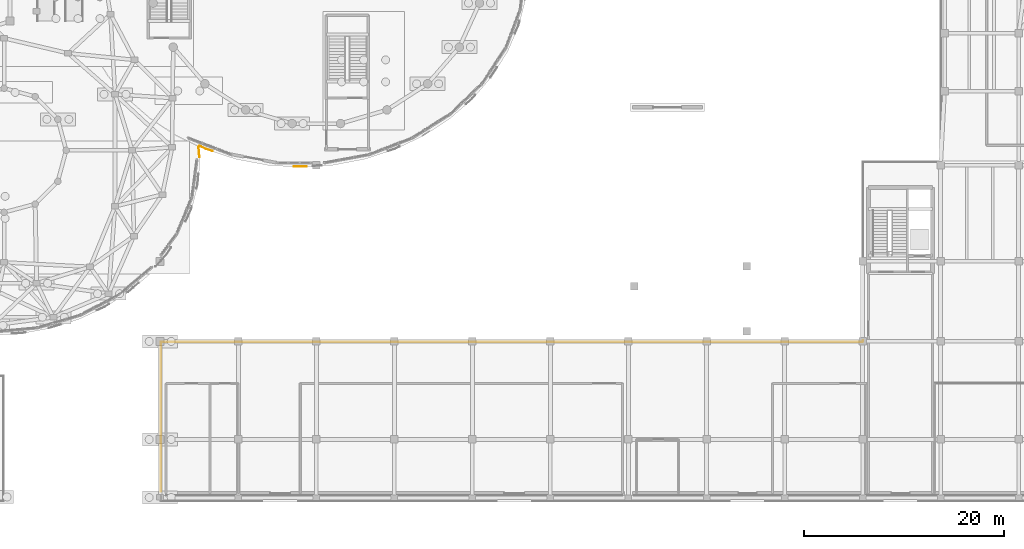
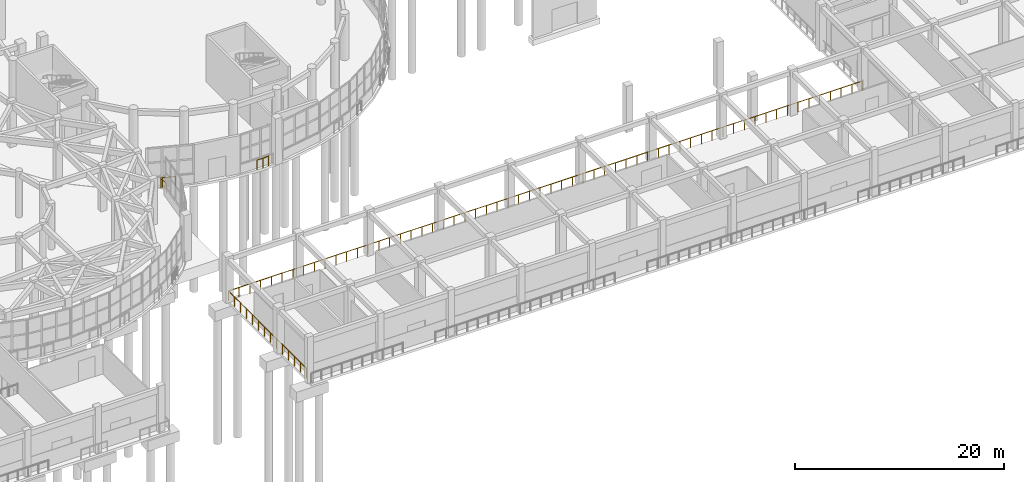
# One storey, part 85 of 96: 4 railings.
"""IFC4 building model written with IfcOpenShell, lengths in metres."""

from ifc_helpers import new_model, si_unit, direction, frame, origin, origin_2d, place, context, subcontext, project, spatial, circle, extrude, material, type_object, element, save


model = new_model("IFC4")

# Units and contexts
model_context = context("Model", 3, precision=1e-05, world=origin(), true_north=direction((0.0, 1.0)))
body_context = subcontext(model_context, "Body", "Model", "MODEL_VIEW")
ifc_project = project(units=[si_unit("LENGTHUNIT", "METRE"), si_unit("AREAUNIT", "SQUARE_METRE"), si_unit("VOLUMEUNIT", "CUBIC_METRE"), si_unit("PLANEANGLEUNIT", "RADIAN"), si_unit("MASSUNIT", "GRAM", prefix="KILO")], contexts=[model_context])

# Site, building, storey
site_placement = place(None, origin())
site = spatial("IfcSite", under=ifc_project, at=site_placement, CompositionType="ELEMENT")
building_placement = place(site_placement, origin())
building = spatial("IfcBuilding", under=site, at=building_placement, Name="Pelvatis Terrace Science Centre", CompositionType="ELEMENT")
storey_placement = place(building_placement, origin())
storey = spatial("IfcBuildingStorey", under=building, at=storey_placement, Name="L00", CompositionType="ELEMENT", Elevation=0.0)

# Railings
ifc_material = material(Name="Bronze-anodised aluminium and laminated safety glass balustrade", Category="aluminium")
railing_type = type_object("IfcRailingType", Name="RLG-BAL-1150", PredefinedType="BALUSTRADE", material=ifc_material)
railing_1_placement = place(storey_placement, frame((62.4599609375, 1.0146484375, 0.0)))
element("IfcRailing", 1, at=railing_1_placement, inside=storey, type_object=railing_type, Name="Perimeter edge balustrade RLG-EDG-L00-002", PredefinedType="BALUSTRADE", context=body_context, shape_type="SweptSolid", body=[
    extrude(circle(Radius=0.02392578125, at=origin_2d()), frame((0.0, 0.0, 1.1259765625), z_axis=(0.0, 1.0, 0.0), x_axis=(-1.0, 0.0, 0.0)), (0.0, 0.0, 1.0), 14.92529296875),
    extrude(circle(Radius=0.02392578125, at=origin_2d()), frame((0.0, 14.92529296875, 1.1259765625), z_axis=(1.0, 0.0, 0.0), x_axis=(0.0, 1.0, 0.0)), (0.0, 0.0, 1.0), 70.10009765625),
    extrude(circle(Radius=0.02392578125, at=origin_2d()), frame((70.10009765625, 14.92529296875, 1.1259765625), z_axis=(0.889040222975, 0.457829096861, 0.0), x_axis=(-0.457829096861, 0.889040222975, 0.0)), (0.0, 0.0, 1.0), 0.091796875),
    extrude(circle(Radius=0.02392578125, at=origin_2d()), frame((70.181640625, 14.96728515625, 1.1259765625), z_axis=(0.193143791753, 0.981170462105, 0.0), x_axis=(-0.981170462105, 0.193143791753, 0.0)), (0.0, 0.0, 1.0), 0.0947265625),
    extrude(circle(Radius=0.02099609375, at=origin_2d()), origin(), (0.0, 0.0, 1.0), 1.101806640625),
    extrude(circle(Radius=0.02099609375, at=origin_2d()), frame((0.0, 1.148193359375, 0.0)), (0.0, 0.0, 1.0), 1.101806640625),
    extrude(circle(Radius=0.02099609375, at=origin_2d()), frame((0.0, 2.296142578125, 0.0)), (0.0, 0.0, 1.0), 1.101806640625),
    extrude(circle(Radius=0.02099609375, at=origin_2d()), frame((0.0, 3.4443359375, 0.0)), (0.0, 0.0, 1.0), 1.101806640625),
    extrude(circle(Radius=0.02099609375, at=origin_2d()), frame((0.0, 4.59228515625, 0.0)), (0.0, 0.0, 1.0), 1.101806640625),
    extrude(circle(Radius=0.02099609375, at=origin_2d()), frame((0.0, 5.740478515625, 0.0)), (0.0, 0.0, 1.0), 1.101806640625),
    extrude(circle(Radius=0.02099609375, at=origin_2d()), frame((0.0, 6.888671875, 0.0)), (0.0, 0.0, 1.0), 1.101806640625),
    extrude(circle(Radius=0.02099609375, at=origin_2d()), frame((0.0, 8.03662109375, 0.0)), (0.0, 0.0, 1.0), 1.101806640625),
    extrude(circle(Radius=0.02099609375, at=origin_2d()), frame((0.0, 9.184814453125, 0.0)), (0.0, 0.0, 1.0), 1.101806640625),
    extrude(circle(Radius=0.02099609375, at=origin_2d()), frame((0.0, 10.3330078125, 0.0)), (0.0, 0.0, 1.0), 1.101806640625),
    extrude(circle(Radius=0.02099609375, at=origin_2d()), frame((0.0, 11.48095703125, 0.0)), (0.0, 0.0, 1.0), 1.101806640625),
    extrude(circle(Radius=0.02099609375, at=origin_2d()), frame((0.0, 12.629150390625, 0.0)), (0.0, 0.0, 1.0), 1.101806640625),
    extrude(circle(Radius=0.02099609375, at=origin_2d()), frame((0.0, 13.777099609375, 0.0)), (0.0, 0.0, 1.0), 1.101806640625),
    extrude(circle(Radius=0.02099609375, at=origin_2d()), frame((0.0, 14.92529296875, 0.0)), (0.0, 0.0, 1.0), 1.101806640625),
    extrude(circle(Radius=0.02099609375, at=origin_2d()), frame((1.188232421875, 14.92529296875, 0.0)), (0.0, 0.0, 1.0), 1.101806640625),
    extrude(circle(Radius=0.02099609375, at=origin_2d()), frame((2.376220703125, 14.92529296875, 0.0)), (0.0, 0.0, 1.0), 1.101806640625),
    extrude(circle(Radius=0.02099609375, at=origin_2d()), frame((3.564453125, 14.92529296875, 0.0)), (0.0, 0.0, 1.0), 1.101806640625),
    extrude(circle(Radius=0.02099609375, at=origin_2d()), frame((4.75244140625, 14.92529296875, 0.0)), (0.0, 0.0, 1.0), 1.101806640625),
    extrude(circle(Radius=0.02099609375, at=origin_2d()), frame((5.940673828125, 14.92529296875, 0.0)), (0.0, 0.0, 1.0), 1.101806640625),
    extrude(circle(Radius=0.02099609375, at=origin_2d()), frame((7.12890625, 14.92529296875, 0.0)), (0.0, 0.0, 1.0), 1.101806640625),
    extrude(circle(Radius=0.02099609375, at=origin_2d()), frame((8.31689453125, 14.92529296875, 0.0)), (0.0, 0.0, 1.0), 1.101806640625),
    extrude(circle(Radius=0.02099609375, at=origin_2d()), frame((9.505126953125, 14.92529296875, 0.0)), (0.0, 0.0, 1.0), 1.101806640625),
    extrude(circle(Radius=0.02099609375, at=origin_2d()), frame((10.693115234375, 14.92529296875, 0.0)), (0.0, 0.0, 1.0), 1.101806640625),
    extrude(circle(Radius=0.02099609375, at=origin_2d()), frame((11.88134765625, 14.92529296875, 0.0)), (0.0, 0.0, 1.0), 1.101806640625),
    extrude(circle(Radius=0.02099609375, at=origin_2d()), frame((13.069580078125, 14.92529296875, 0.0)), (0.0, 0.0, 1.0), 1.101806640625),
    extrude(circle(Radius=0.02099609375, at=origin_2d()), frame((14.257568359375, 14.92529296875, 0.0)), (0.0, 0.0, 1.0), 1.101806640625),
    extrude(circle(Radius=0.02099609375, at=origin_2d()), frame((15.44580078125, 14.92529296875, 0.0)), (0.0, 0.0, 1.0), 1.101806640625),
    extrude(circle(Radius=0.02099609375, at=origin_2d()), frame((16.634033203125, 14.92529296875, 0.0)), (0.0, 0.0, 1.0), 1.101806640625),
    extrude(circle(Radius=0.02099609375, at=origin_2d()), frame((17.822021484375, 14.92529296875, 0.0)), (0.0, 0.0, 1.0), 1.101806640625),
    extrude(circle(Radius=0.02099609375, at=origin_2d()), frame((19.01025390625, 14.92529296875, 0.0)), (0.0, 0.0, 1.0), 1.101806640625),
    extrude(circle(Radius=0.02099609375, at=origin_2d()), frame((20.1982421875, 14.92529296875, 0.0)), (0.0, 0.0, 1.0), 1.101806640625),
    extrude(circle(Radius=0.02099609375, at=origin_2d()), frame((21.386474609375, 14.92529296875, 0.0)), (0.0, 0.0, 1.0), 1.101806640625),
    extrude(circle(Radius=0.02099609375, at=origin_2d()), frame((22.57470703125, 14.92529296875, 0.0)), (0.0, 0.0, 1.0), 1.101806640625),
    extrude(circle(Radius=0.02099609375, at=origin_2d()), frame((23.7626953125, 14.92529296875, 0.0)), (0.0, 0.0, 1.0), 1.101806640625),
    extrude(circle(Radius=0.02099609375, at=origin_2d()), frame((24.950927734375, 14.92529296875, 0.0)), (0.0, 0.0, 1.0), 1.101806640625),
    extrude(circle(Radius=0.02099609375, at=origin_2d()), frame((26.138916015625, 14.92529296875, 0.0)), (0.0, 0.0, 1.0), 1.101806640625),
    extrude(circle(Radius=0.02099609375, at=origin_2d()), frame((27.3271484375, 14.92529296875, 0.0)), (0.0, 0.0, 1.0), 1.101806640625),
    extrude(circle(Radius=0.02099609375, at=origin_2d()), frame((28.515380859375, 14.92529296875, 0.0)), (0.0, 0.0, 1.0), 1.101806640625),
    extrude(circle(Radius=0.02099609375, at=origin_2d()), frame((29.703369140625, 14.92529296875, 0.0)), (0.0, 0.0, 1.0), 1.101806640625),
    extrude(circle(Radius=0.02099609375, at=origin_2d()), frame((30.8916015625, 14.92529296875, 0.0)), (0.0, 0.0, 1.0), 1.101806640625),
    extrude(circle(Radius=0.02099609375, at=origin_2d()), frame((32.07958984375, 14.92529296875, 0.0)), (0.0, 0.0, 1.0), 1.101806640625),
    extrude(circle(Radius=0.02099609375, at=origin_2d()), frame((33.267822265625, 14.92529296875, 0.0)), (0.0, 0.0, 1.0), 1.101806640625),
    extrude(circle(Radius=0.02099609375, at=origin_2d()), frame((34.4560546875, 14.92529296875, 0.0)), (0.0, 0.0, 1.0), 1.101806640625),
    extrude(circle(Radius=0.02099609375, at=origin_2d()), frame((35.64404296875, 14.92529296875, 0.0)), (0.0, 0.0, 1.0), 1.101806640625),
    extrude(circle(Radius=0.02099609375, at=origin_2d()), frame((36.832275390625, 14.92529296875, 0.0)), (0.0, 0.0, 1.0), 1.101806640625),
    extrude(circle(Radius=0.02099609375, at=origin_2d()), frame((38.0205078125, 14.92529296875, 0.0)), (0.0, 0.0, 1.0), 1.101806640625),
    extrude(circle(Radius=0.02099609375, at=origin_2d()), frame((39.20849609375, 14.92529296875, 0.0)), (0.0, 0.0, 1.0), 1.101806640625),
    extrude(circle(Radius=0.02099609375, at=origin_2d()), frame((40.396728515625, 14.92529296875, 0.0)), (0.0, 0.0, 1.0), 1.101806640625),
    extrude(circle(Radius=0.02099609375, at=origin_2d()), frame((41.584716796875, 14.92529296875, 0.0)), (0.0, 0.0, 1.0), 1.101806640625),
    extrude(circle(Radius=0.02099609375, at=origin_2d()), frame((42.77294921875, 14.92529296875, 0.0)), (0.0, 0.0, 1.0), 1.101806640625),
    extrude(circle(Radius=0.02099609375, at=origin_2d()), frame((43.961181640625, 14.92529296875, 0.0)), (0.0, 0.0, 1.0), 1.101806640625),
    extrude(circle(Radius=0.02099609375, at=origin_2d()), frame((45.149169921875, 14.92529296875, 0.0)), (0.0, 0.0, 1.0), 1.101806640625),
    extrude(circle(Radius=0.02099609375, at=origin_2d()), frame((46.33740234375, 14.92529296875, 0.0)), (0.0, 0.0, 1.0), 1.101806640625),
    extrude(circle(Radius=0.02099609375, at=origin_2d()), frame((47.525390625, 14.92529296875, 0.0)), (0.0, 0.0, 1.0), 1.101806640625),
    extrude(circle(Radius=0.02099609375, at=origin_2d()), frame((48.713623046875, 14.92529296875, 0.0)), (0.0, 0.0, 1.0), 1.101806640625),
    extrude(circle(Radius=0.02099609375, at=origin_2d()), frame((49.90185546875, 14.92529296875, 0.0)), (0.0, 0.0, 1.0), 1.101806640625),
    extrude(circle(Radius=0.02099609375, at=origin_2d()), frame((51.08984375, 14.92529296875, 0.0)), (0.0, 0.0, 1.0), 1.101806640625),
    extrude(circle(Radius=0.02099609375, at=origin_2d()), frame((52.278076171875, 14.92529296875, 0.0)), (0.0, 0.0, 1.0), 1.101806640625),
    extrude(circle(Radius=0.02099609375, at=origin_2d()), frame((53.466064453125, 14.92529296875, 0.0)), (0.0, 0.0, 1.0), 1.101806640625),
    extrude(circle(Radius=0.02099609375, at=origin_2d()), frame((54.654296875, 14.92529296875, 0.0)), (0.0, 0.0, 1.0), 1.101806640625),
    extrude(circle(Radius=0.02099609375, at=origin_2d()), frame((55.842529296875, 14.92529296875, 0.0)), (0.0, 0.0, 1.0), 1.101806640625),
    extrude(circle(Radius=0.02099609375, at=origin_2d()), frame((57.030517578125, 14.92529296875, 0.0)), (0.0, 0.0, 1.0), 1.101806640625),
    extrude(circle(Radius=0.02099609375, at=origin_2d()), frame((58.21875, 14.92529296875, 0.0)), (0.0, 0.0, 1.0), 1.101806640625),
    extrude(circle(Radius=0.02099609375, at=origin_2d()), frame((59.406982421875, 14.92529296875, 0.0)), (0.0, 0.0, 1.0), 1.101806640625),
    extrude(circle(Radius=0.02099609375, at=origin_2d()), frame((60.594970703125, 14.92529296875, 0.0)), (0.0, 0.0, 1.0), 1.101806640625),
    extrude(circle(Radius=0.02099609375, at=origin_2d()), frame((61.783203125, 14.92529296875, 0.0)), (0.0, 0.0, 1.0), 1.101806640625),
    extrude(circle(Radius=0.02099609375, at=origin_2d()), frame((62.97119140625, 14.92529296875, 0.0)), (0.0, 0.0, 1.0), 1.101806640625),
    extrude(circle(Radius=0.02099609375, at=origin_2d()), frame((64.159423828125, 14.92529296875, 0.0)), (0.0, 0.0, 1.0), 1.101806640625),
    extrude(circle(Radius=0.02099609375, at=origin_2d()), frame((65.34765625, 14.92529296875, 0.0)), (0.0, 0.0, 1.0), 1.101806640625),
    extrude(circle(Radius=0.02099609375, at=origin_2d()), frame((66.53564453125, 14.92529296875, 0.0)), (0.0, 0.0, 1.0), 1.101806640625),
    extrude(circle(Radius=0.02099609375, at=origin_2d()), frame((67.723876953125, 14.92529296875, 0.0)), (0.0, 0.0, 1.0), 1.101806640625),
    extrude(circle(Radius=0.02099609375, at=origin_2d()), frame((68.911865234375, 14.92529296875, 0.0)), (0.0, 0.0, 1.0), 1.101806640625),
    extrude(circle(Radius=0.02099609375, at=origin_2d()), frame((70.10009765625, 14.92529296875, 0.0)), (0.0, 0.0, 1.0), 1.101806640625),
    extrude(circle(Radius=0.02099609375, at=origin_2d()), frame((70.181640625, 14.96728515625, 0.0)), (0.0, 0.0, 1.0), 1.101806640625),
    extrude(circle(Radius=0.02099609375, at=origin_2d()), frame((70.199951171875, 15.060302734375, 0.0)), (0.0, 0.0, 1.0), 1.101806640625),
])
railing_2_placement = place(storey_placement, frame((77.026123046875, 33.4990234375, 0.0)))
element("IfcRailing", 2, at=railing_2_placement, inside=storey, type_object=railing_type, Name="Perimeter edge balustrade RLG-EDG-L00-057", PredefinedType="BALUSTRADE", context=body_context, shape_type="SweptSolid", body=[
    extrude(circle(Radius=0.02392578125, at=origin_2d()), frame((0.0, 0.0, 1.1259765625), z_axis=(-0.998084244353, -0.06186954965, 0.0), x_axis=(0.06186954965, -0.998084244353, 0.0)), (0.0, 0.0, 1.0), 0.62744140625),
    extrude(circle(Radius=0.02392578125, at=origin_2d()), frame((-0.626220703125, -0.038818359375, 1.1259765625), z_axis=(-0.998084244353, 0.06186954965, 0.0), x_axis=(-0.06186954965, -0.998084244353, 0.0)), (0.0, 0.0, 1.0), 0.62744140625),
    extrude(circle(Radius=0.02099609375, at=origin_2d()), origin(), (0.0, 0.0, 1.0), 1.101806640625),
    extrude(circle(Radius=0.02099609375, at=origin_2d()), frame((-0.626220703125, -0.038818359375, 0.0)), (0.0, 0.0, 1.0), 1.101806640625),
    extrude(circle(Radius=0.02099609375, at=origin_2d()), frame((-1.25244140625, 0.0, 0.0)), (0.0, 0.0, 1.0), 1.101806640625),
])
railing_3_placement = place(storey_placement, frame((67.638916015625, 35.022216796875, 0.0)))
element("IfcRailing", 3, at=railing_3_placement, inside=storey, type_object=railing_type, Name="Perimeter edge balustrade RLG-EDG-L00-058", PredefinedType="BALUSTRADE", context=body_context, shape_type="SweptSolid", body=[
    extrude(circle(Radius=0.02392578125, at=origin_2d()), frame((0.0, 0.0, 1.1259765625), z_axis=(-0.951348541055, 0.308116785379, 0.0), x_axis=(-0.308116785379, -0.951348541055, 0.0)), (0.0, 0.0, 1.0), 0.723388671875),
    extrude(circle(Radius=0.02392578125, at=origin_2d()), frame((-0.688232421875, 0.222900390625, 1.1259765625), z_axis=(-0.903504119508, 0.428579404581, 0.0), x_axis=(-0.428579404581, -0.903504119508, 0.0)), (0.0, 0.0, 1.0), 0.531982421875),
    extrude(circle(Radius=0.02099609375, at=origin_2d()), origin(), (0.0, 0.0, 1.0), 1.101806640625),
    extrude(circle(Radius=0.02099609375, at=origin_2d()), frame((-0.688232421875, 0.222900390625, 0.0)), (0.0, 0.0, 1.0), 1.101806640625),
    extrude(circle(Radius=0.02099609375, at=origin_2d()), frame((-1.1689453125, 0.450927734375, 0.0)), (0.0, 0.0, 1.0), 1.101806640625),
])
railing_4_placement = place(storey_placement, frame((66.333740234375, 35.525634765625, 0.0)))
element("IfcRailing", 4, at=railing_4_placement, inside=storey, type_object=railing_type, Name="Perimeter edge balustrade RLG-EDG-L00-059", PredefinedType="BALUSTRADE", context=body_context, shape_type="SweptSolid", body=[
    extrude(circle(Radius=0.02392578125, at=origin_2d()), frame((0.0, 0.0, 1.1259765625), z_axis=(-0.692169726018, -0.721734764567, 0.0), x_axis=(0.721734764567, -0.692169726018, 0.0)), (0.0, 0.0, 1.0), 0.140380859375),
    extrude(circle(Radius=0.02392578125, at=origin_2d()), frame((-0.09716796875, -0.101318359375, 1.1259765625), z_axis=(0.083980250705, -0.996467419182, 0.0), x_axis=(0.996467419182, 0.083980250705, 0.0)), (0.0, 0.0, 1.0), 0.994140625),
    extrude(circle(Radius=0.02099609375, at=origin_2d()), origin(), (0.0, 0.0, 1.0), 1.101806640625),
    extrude(circle(Radius=0.02099609375, at=origin_2d()), frame((-0.09716796875, -0.101318359375, 0.0)), (0.0, 0.0, 1.0), 1.101806640625),
    extrude(circle(Radius=0.02099609375, at=origin_2d()), frame((-0.013671875, -1.092041015625, 0.0)), (0.0, 0.0, 1.0), 1.101806640625),
])

save(model, "model.ifc")
